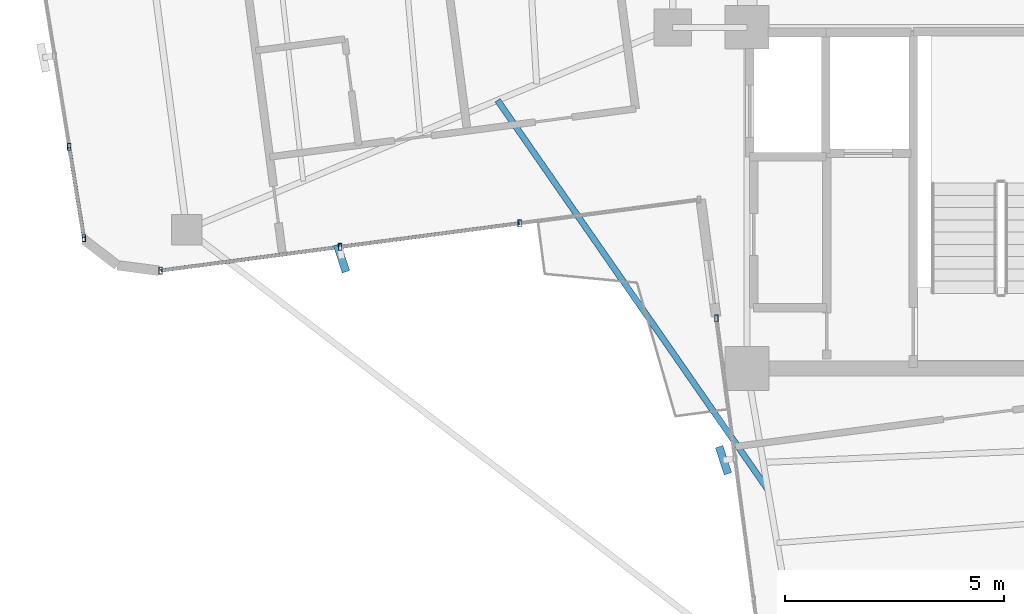
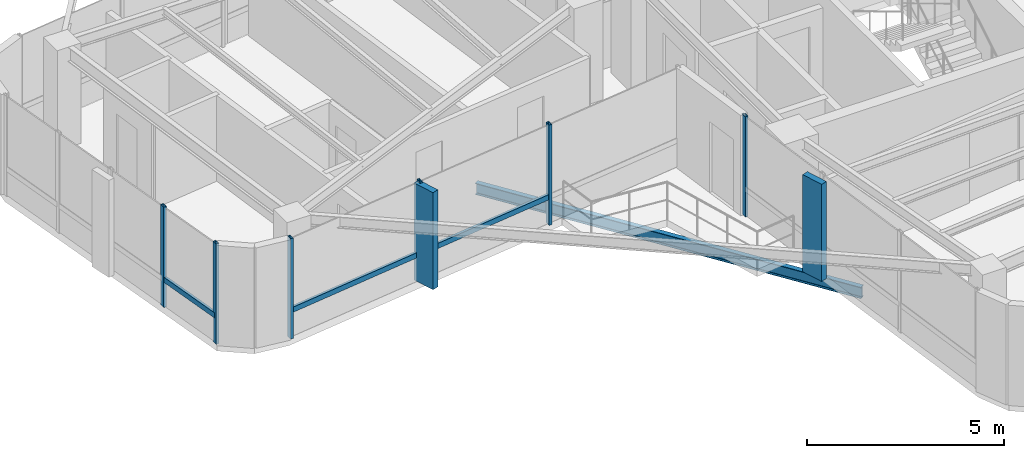
# One storey, part 2 of 21: 11 members, 1 beam, 3 elements without a shape of their own.
"""IFC4 building model written with IfcOpenShell, lengths in metres."""

from ifc_helpers import new_model, si_unit, direction, frame, origin, origin_2d, place, context, subcontext, project, spatial, rectangle, hollow_rectangle, i_section, extrude, source, transform, mapped, material, material_profile, profile_set, type_object, element, aggregate, save


model = new_model("IFC4")

# Units and contexts
model_context = context("Model", 3, precision=1e-05, world=origin(), true_north=direction((0.0, 1.0)))
body_context = subcontext(model_context, "Body", "Model", "MODEL_VIEW")
ifc_project = project(units=[si_unit("LENGTHUNIT", "METRE"), si_unit("AREAUNIT", "SQUARE_METRE"), si_unit("VOLUMEUNIT", "CUBIC_METRE"), si_unit("PLANEANGLEUNIT", "RADIAN"), si_unit("MASSUNIT", "GRAM", prefix="KILO")], contexts=[model_context])

# Site, building, storey
site_placement = place(None, origin())
site = spatial("IfcSite", under=ifc_project, at=site_placement, CompositionType="ELEMENT")
building_placement = place(site_placement, origin())
building = spatial("IfcBuilding", under=site, at=building_placement, Name="Sahyath Konkavel Grand Hotel", CompositionType="ELEMENT")
storey_placement = place(building_placement, frame((0.0, 0.0, 219.89990234375)))
storey = spatial("IfcBuildingStorey", under=building, at=storey_placement, Name="L61", CompositionType="ELEMENT", Elevation=219.89990234375)

# Curtain wall, member
ifc_material_1 = material(Name="Anodised Bronze Aluminium & Low-E Glazing", Category="aluminium")
curtain_wall_type = type_object("IfcCurtainWallType", Name="CW-ZONE4", PredefinedType="NOTDEFINED", material=ifc_material_1)
curtain_wall_1_placement = place(storey_placement, origin())
curtain_wall_1 = element("IfcCurtainWall", 1, at=curtain_wall_1_placement, inside=storey, type_object=curtain_wall_type, Name="L61 Unitised Curtain Wall F23", PredefinedType="NOTDEFINED")
ifc_material_2 = material(Name="Warm Buff Sandstone Cladding on Concrete C50/60", Category="masonry")
ifc_material_profile_1 = material_profile(ifc_material_2, rectangle(XDim=0.179931640625, YDim=0.64990234375, at=origin_2d()), Name="FIN 180x650")
ifc_profile_set_1 = profile_set([ifc_material_profile_1], Name="Warm Buff Sandstone Cladding on Concrete C50/60")
member_type_1 = type_object("IfcMemberType", Name="FIN-SANDSTONE-650", PredefinedType="MULLION", material=ifc_profile_set_1)
shared_shape_1 = source(origin(), body_context, "Body", "SweptSolid", [
    extrude(rectangle(XDim=0.179931640625, YDim=0.64990234375, at=origin_2d()), origin(), (0.0, 0.0, 1.0), 3.010009765625),
])
member_1_placement = place(storey_placement, frame((-13.069580078125, -7.677734375, 0.050048828125), z_axis=(0.0, 0.0, 1.0), x_axis=(0.951487058208, 0.307688768178, 0.0)))
member_1 = element("IfcMember", 2, at=member_1_placement, type_object=member_type_1, Name="L61 Sandstone Vertical Solar Fin FIN F23-1", PredefinedType="MULLION", context=body_context, shape_type="MappedRepresentation", body=[
    mapped(shared_shape_1, transform((0.0, 0.0, 0.0), scale=1.0)),
])

curtain_wall_2_placement = place(storey_placement, origin())
curtain_wall_2 = element("IfcCurtainWall", 3, at=curtain_wall_2_placement, inside=storey, type_object=curtain_wall_type, Name="L61 Unitised Curtain Wall F24", PredefinedType="NOTDEFINED")
member_2_placement = place(storey_placement, frame((-4.33837890625, -12.29443359375, 0.050048828125), z_axis=(0.0, 0.0, 1.0), x_axis=(0.951487058208, 0.307688768178, 0.0)))
member_2 = element("IfcMember", 4, at=member_2_placement, type_object=member_type_1, Name="L61 Sandstone Vertical Solar Fin FIN F24-1", PredefinedType="MULLION", context=body_context, shape_type="MappedRepresentation", body=[
    mapped(shared_shape_1, transform((0.0, 0.0, 0.0), scale=1.0)),
])

# Curtain wall, members
curtain_wall_3_placement = place(storey_placement, origin())
curtain_wall_3 = element("IfcCurtainWall", 5, at=curtain_wall_3_placement, inside=storey, type_object=curtain_wall_type, Name="L61 Unitised Curtain Wall F20", PredefinedType="NOTDEFINED")
ifc_material_3 = material(Name="Anodised Bronze Aluminium", Category="aluminium")
ifc_material_profile_2 = material_profile(ifc_material_3, hollow_rectangle(XDim=0.080078125, YDim=0.159912109375, WallThickness=0.006103515625, at=origin_2d()), Name="RHS 160x80x6")
ifc_profile_set_2 = profile_set([ifc_material_profile_2], Name="Anodised Bronze Aluminium")
member_type_2 = type_object("IfcMemberType", Name="CW-MUL-160", PredefinedType="MULLION", material=ifc_profile_set_2)
shared_shape_2 = source(origin(), body_context, "Body", "SweptSolid", [
    extrude(hollow_rectangle(XDim=0.080078125, YDim=0.159912109375, WallThickness=0.006103515625, at=origin_2d()), origin(), (0.0, 0.0, 1.0), 3.110107421875),
])
member_3_placement = place(storey_placement, frame((-19.296630859375, -5.134521484375, 0.0), z_axis=(0.0, 0.0, 1.0), x_axis=(1.0, 0.0, 0.0)))
member_3 = element("IfcMember", 6, at=member_3_placement, type_object=member_type_2, Name="L61 Curtain Wall Mullion F20-3", PredefinedType="MULLION", context=body_context, shape_type="MappedRepresentation", body=[
    mapped(shared_shape_2, transform((0.0, 0.0, 0.0), scale=1.0)),
])
member_4_placement = place(storey_placement, frame((-18.96044921875, -7.217529296875, 0.0), z_axis=(0.0, 0.0, 1.0), x_axis=(1.0, 0.0, 0.0)))
member_4 = element("IfcMember", 7, at=member_4_placement, type_object=member_type_2, Name="L61 Curtain Wall Mullion F20-4", PredefinedType="MULLION", context=body_context, shape_type="MappedRepresentation", body=[
    mapped(shared_shape_2, transform((0.0, 0.0, 0.0), scale=1.0)),
])

# Member
member_5_placement = place(storey_placement, frame((-17.205078125, -7.9599609375, 0.0), z_axis=(0.0, 0.0, 1.0), x_axis=(1.0, 0.0, 0.0)))
member_5 = element("IfcMember", 8, at=member_5_placement, type_object=member_type_2, Name="L61 Curtain Wall Mullion F23-0", PredefinedType="MULLION", context=body_context, shape_type="MappedRepresentation", body=[
    mapped(shared_shape_2, transform((0.0, 0.0, 0.0), scale=1.0)),
])

member_6_placement = place(storey_placement, frame((-13.103515625, -7.419921875, 0.0), z_axis=(0.0, 0.0, 1.0), x_axis=(1.0, 0.0, 0.0)))
member_6 = element("IfcMember", 9, at=member_6_placement, type_object=member_type_2, Name="L61 Curtain Wall Mullion F23-1", PredefinedType="MULLION", context=body_context, shape_type="MappedRepresentation", body=[
    mapped(shared_shape_2, transform((0.0, 0.0, 0.0), scale=1.0)),
])

member_7_placement = place(storey_placement, frame((-9.001953125, -6.8798828125, 0.0), z_axis=(0.0, 0.0, 1.0), x_axis=(1.0, 0.0, 0.0)))
member_7 = element("IfcMember", 10, at=member_7_placement, type_object=member_type_2, Name="L61 Curtain Wall Mullion F23-2", PredefinedType="MULLION", context=body_context, shape_type="MappedRepresentation", body=[
    mapped(shared_shape_2, transform((0.0, 0.0, 0.0), scale=1.0)),
])

member_8_placement = place(storey_placement, frame((-4.503173828125, -9.05126953125, 0.0), z_axis=(0.0, 0.0, 1.0), x_axis=(1.0, 0.0, 0.0)))
member_8 = element("IfcMember", 11, at=member_8_placement, type_object=member_type_2, Name="L61 Curtain Wall Mullion F24-0", PredefinedType="MULLION", context=body_context, shape_type="MappedRepresentation", body=[
    mapped(shared_shape_2, transform((0.0, 0.0, 0.0), scale=1.0)),
])

aggregate(curtain_wall_2, [member_8, member_2])

# Beam
ifc_material_4 = material(Name="Steel E350", Category="steel")
ifc_material_profile_3 = material_profile(ifc_material_4, i_section(OverallWidth=0.139892578125, OverallDepth=0.35009765625, WebThickness=0.008056640625, FlangeThickness=0.01416015625, FilletRadius=0.013916015625, at=origin_2d()), Name="ISMB 350")
ifc_profile_set_3 = profile_set([ifc_material_profile_3], Name="Steel E350")
beam_type = type_object("IfcBeamType", Name="BM-BALC-CANT", PredefinedType="BEAM", material=ifc_profile_set_3)
shared_shape_3 = source(origin(), body_context, "Body", "SweptSolid", [
    extrude(i_section(OverallWidth=0.139892578125, OverallDepth=0.35009765625, WebThickness=0.008056640625, FlangeThickness=0.01416015625, FilletRadius=0.013916015625, at=origin_2d()), origin(), (0.0, 0.0, 1.0), 10.831298828125),
])
beam_placement = place(storey_placement, frame((-9.5048828125, -4.06689453125, -0.414794921875), z_axis=(0.570310057725, -0.821429508879, 0.0), x_axis=(0.821429508879, 0.570310057725, 0.0)))
element("IfcBeam", 12, at=beam_placement, inside=storey, type_object=beam_type, Name="L61 Balcony Cantilever Support Beam SW", PredefinedType="BEAM", context=body_context, shape_type="MappedRepresentation", body=[
    mapped(shared_shape_3, transform((0.0, 0.0, 0.0), scale=1.0)),
])

# Member
ifc_material_profile_4 = material_profile(ifc_material_3, hollow_rectangle(XDim=0.080078125, YDim=0.159912109375, WallThickness=0.006103515625, at=origin_2d()), Name="RHS 160x80x6")
ifc_profile_set_4 = profile_set([ifc_material_profile_4], Name="Anodised Bronze Aluminium")
member_type_3 = type_object("IfcMemberType", Name="CW-TRN-160", PredefinedType="USERDEFINED", material=ifc_profile_set_4)
shared_shape_4 = source(origin(), body_context, "Body", "SweptSolid", [
    extrude(hollow_rectangle(XDim=0.080078125, YDim=0.159912109375, WallThickness=0.006103515625, at=origin_2d()), origin(), (0.0, 0.0, 1.0), 2.10986328125),
])
member_9_placement = place(storey_placement, frame((-19.296630859375, -5.134521484375, 0.85009765625), z_axis=(0.15933066121, -0.987225273379, 0.0), x_axis=(0.987225273379, 0.15933066121, 0.0)))
member_9 = element("IfcMember", 13, at=member_9_placement, type_object=member_type_3, Name="L61 Curtain Wall Transom F20-3-spandrel", ObjectType="TRANSOM", PredefinedType="USERDEFINED", context=body_context, shape_type="MappedRepresentation", body=[
    mapped(shared_shape_4, transform((0.0, 0.0, 0.0), scale=1.0)),
])

aggregate(curtain_wall_3, [member_3, member_4, member_9])

shared_shape_5 = source(origin(), body_context, "Body", "SweptSolid", [
    extrude(hollow_rectangle(XDim=0.080078125, YDim=0.159912109375, WallThickness=0.006103515625, at=origin_2d()), origin(), (0.0, 0.0, 1.0), 4.136962890625),
])
member_10_placement = place(storey_placement, frame((-17.205078125, -7.9599609375, 0.85009765625), z_axis=(0.991443043354, 0.130540000708, 0.0), x_axis=(-0.130540000708, 0.991443043354, 0.0)))
member_10 = element("IfcMember", 14, at=member_10_placement, type_object=member_type_3, Name="L61 Curtain Wall Transom F23-0-spandrel", ObjectType="TRANSOM", PredefinedType="USERDEFINED", context=body_context, shape_type="MappedRepresentation", body=[
    mapped(shared_shape_5, transform((0.0, 0.0, 0.0), scale=1.0)),
])

member_11_placement = place(storey_placement, frame((-13.103515625, -7.419921875, 0.85009765625), z_axis=(0.991443043354, 0.130540000708, 0.0), x_axis=(-0.130540000708, 0.991443043354, 0.0)))
member_11 = element("IfcMember", 15, at=member_11_placement, type_object=member_type_3, Name="L61 Curtain Wall Transom F23-1-spandrel", ObjectType="TRANSOM", PredefinedType="USERDEFINED", context=body_context, shape_type="MappedRepresentation", body=[
    mapped(shared_shape_5, transform((0.0, 0.0, 0.0), scale=1.0)),
])

aggregate(curtain_wall_1, [member_5, member_6, member_1, member_7, member_10, member_11])

save(model, "model.ifc")
